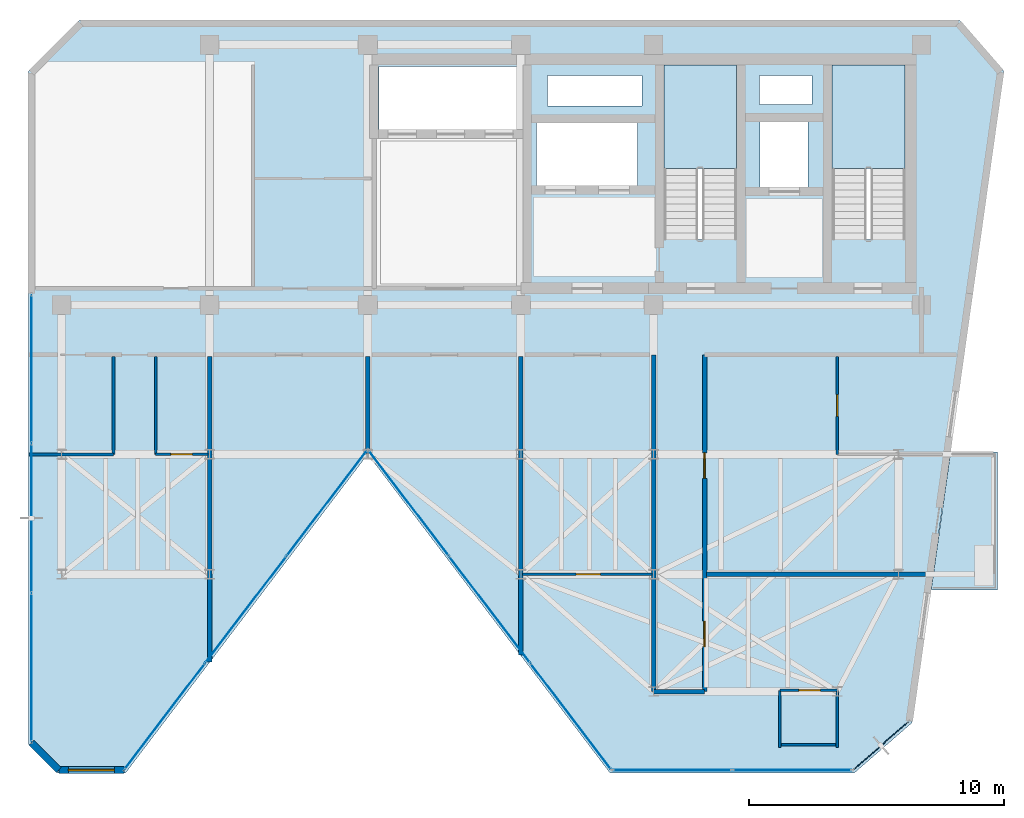
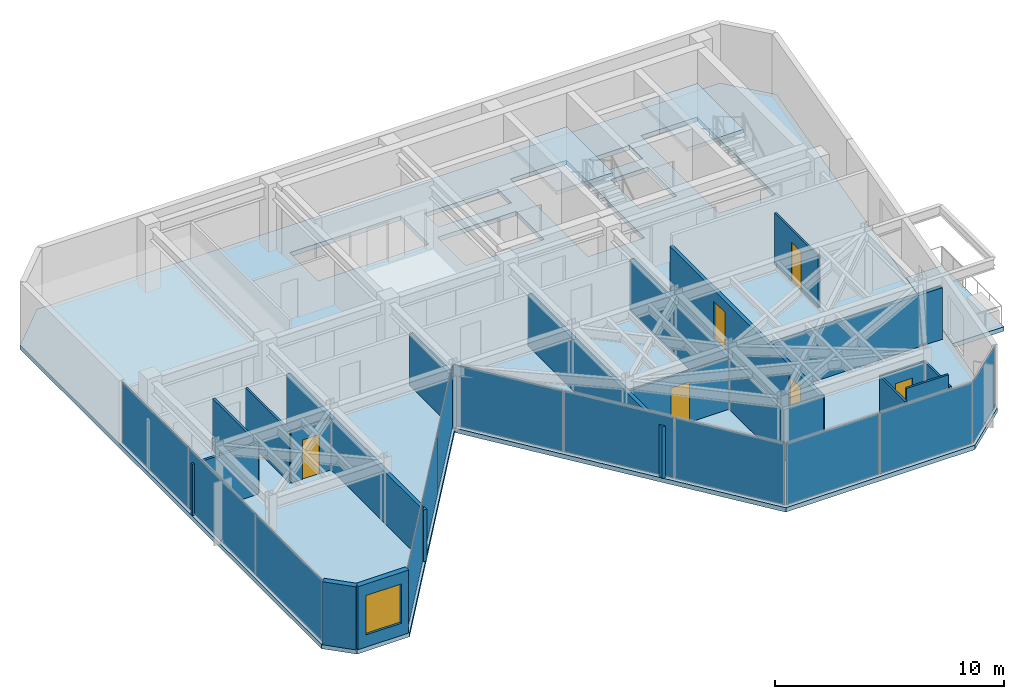
# One storey, part 13 of 17: 19 walls, 12 plates, 6 doors, 4 slabs, 1 window, 7 openings, 7 elements without a shape of their own.
"""IFC4 building model written with IfcOpenShell, lengths in metres."""

from ifc_helpers import new_model, si_unit, direction, frame, frame_2d, origin, origin_2d, place, context, subcontext, project, spatial, polyline, rectangle, outline, extrude, material, layer, layer_set, type_object, element, fill, aggregate, save


model = new_model("IFC4")

# Units and contexts
model_context = context("Model", 3, precision=1e-05, world=origin(), true_north=direction((0.0, 1.0)))
body_context = subcontext(model_context, "Body", "Model", "MODEL_VIEW")
ifc_project = project(units=[si_unit("LENGTHUNIT", "METRE"), si_unit("AREAUNIT", "SQUARE_METRE"), si_unit("VOLUMEUNIT", "CUBIC_METRE"), si_unit("PLANEANGLEUNIT", "RADIAN"), si_unit("MASSUNIT", "GRAM", prefix="KILO")], contexts=[model_context])

# Site, building, storey
site_placement = place(None, origin())
site = spatial("IfcSite", under=ifc_project, at=site_placement, CompositionType="ELEMENT")
building_placement = place(site_placement, origin())
building = spatial("IfcBuilding", under=site, at=building_placement, Name="Kravanh Interchange Tower", CompositionType="ELEMENT")
storey_placement = place(building_placement, frame((0.0, 0.0, 289.5)))
storey = spatial("IfcBuildingStorey", under=building, at=storey_placement, Name="L71", CompositionType="ELEMENT", Elevation=289.5)

# Curtain wall, plates
ifc_material_1 = material(Name="Anodised Bronze Aluminium", Category="aluminium")
ifc_layer_1 = layer(ifc_material_1, 0.179931640625)
ifc_layer_set_1 = layer_set([ifc_layer_1], Name="Unitised Curtain Wall System CW-HTL Luxury Hotel")
curtain_wall_type = type_object("IfcCurtainWallType", Name="Unitised Curtain Wall System CW-HTL Luxury Hotel", PredefinedType="NOTDEFINED", material=ifc_layer_set_1)
curtain_wall_1_placement = place(storey_placement, origin())
curtain_wall_1 = element("IfcCurtainWall", 1, at=curtain_wall_1_placement, inside=storey, type_object=curtain_wall_type, Name="L71 Unitised Curtain Wall CW-L71-01", PredefinedType="NOTDEFINED")
ifc_material_2 = material(Name="Low-E Laminated Architectural Glass", Category="glass")
ifc_layer_2 = layer(ifc_material_2, 0.030029296875)
ifc_layer_set_2 = layer_set([ifc_layer_2], Name="Acoustic Laminated Glazing 30mm")
plate_type = type_object("IfcPlateType", Name="Acoustic Laminated Glazing 30mm", PredefinedType="CURTAIN_PANEL", material=ifc_layer_set_2)
plate_1_placement = place(storey_placement, frame((31.6201171875, 23.1396484375, 0.06005859375), z_axis=(0.0, 0.0, 1.0), x_axis=(0.0, 1.0, 0.0)))
plate_1 = element("IfcPlate", 2, at=plate_1_placement, type_object=plate_type, Name="CW-HTL panel 1.1", PredefinedType="CURTAIN_PANEL", context=body_context, shape_type="SweptSolid", body=[
    extrude(rectangle(XDim=5.780029296875, YDim=0.030029296875, at=origin_2d()), origin(), (0.0, 0.0, 1.0), 3.2451171875),
])
plate_2_placement = place(storey_placement, frame((31.6201171875, 28.994873046875, 0.06005859375), z_axis=(0.0, 0.0, 1.0), x_axis=(0.0, 1.0, 0.0)))
plate_2 = element("IfcPlate", 3, at=plate_2_placement, type_object=plate_type, Name="CW-HTL panel 2.1", PredefinedType="CURTAIN_PANEL", context=body_context, shape_type="SweptSolid", body=[
    extrude(rectangle(XDim=5.81005859375, YDim=0.030029296875, at=origin_2d()), origin(), (0.0, 0.0, 1.0), 3.2451171875),
])
plate_3_placement = place(storey_placement, frame((31.6201171875, 34.849853515625, 0.06005859375), z_axis=(0.0, 0.0, 1.0), x_axis=(0.0, 1.0, 0.0)))
plate_3 = element("IfcPlate", 4, at=plate_3_placement, type_object=plate_type, Name="CW-HTL panel 3.1", PredefinedType="CURTAIN_PANEL", context=body_context, shape_type="SweptSolid", body=[
    extrude(rectangle(XDim=5.780029296875, YDim=0.030029296875, at=origin_2d()), origin(), (0.0, 0.0, 1.0), 3.2451171875),
])
aggregate(curtain_wall_1, [plate_1, plate_2, plate_3])

# Curtain wall, plate
curtain_wall_2_placement = place(storey_placement, origin())
curtain_wall_2 = element("IfcCurtainWall", 5, at=curtain_wall_2_placement, inside=storey, type_object=curtain_wall_type, Name="L71 Unitised Curtain Wall CW-L71-02", PredefinedType="NOTDEFINED")
plate_4_placement = place(storey_placement, frame((64.91455078125, 20.080810546875, 0.06005859375), z_axis=(0.0, 0.0, 1.0), x_axis=(-0.75473192521, -0.656033323139, 0.0)))
plate_4 = element("IfcPlate", 6, at=plate_4_placement, type_object=plate_type, Name="CW-HTL panel 1.1", PredefinedType="CURTAIN_PANEL", context=body_context, shape_type="SweptSolid", body=[
    extrude(rectangle(XDim=2.80908203125, YDim=0.030029296875, at=origin_2d()), origin(), (0.0, 0.0, 1.0), 3.2451171875),
])
aggregate(curtain_wall_2, [plate_4])

# Curtain wall, plates
curtain_wall_3_placement = place(storey_placement, origin())
curtain_wall_3 = element("IfcCurtainWall", 7, at=curtain_wall_3_placement, inside=storey, type_object=curtain_wall_type, Name="L71 Unitised Curtain Wall CW-L71-03", PredefinedType="NOTDEFINED")
plate_5_placement = place(storey_placement, frame((61.431640625, 19.1201171875, 0.06005859375), z_axis=(0.0, 0.0, 1.0), x_axis=(-1.0, 0.0, 0.0)))
plate_5 = element("IfcPlate", 8, at=plate_5_placement, type_object=plate_type, Name="CW-HTL panel 1.1", PredefinedType="CURTAIN_PANEL", context=body_context, shape_type="SweptSolid", body=[
    extrude(rectangle(XDim=4.634765625, YDim=0.030029296875, at=origin_2d()), origin(), (0.0, 0.0, 1.0), 3.2451171875),
])
plate_6_placement = place(storey_placement, frame((56.73681640625, 19.1201171875, 0.06005859375), z_axis=(0.0, 0.0, 1.0), x_axis=(-1.0, 0.0, 0.0)))
plate_6 = element("IfcPlate", 9, at=plate_6_placement, type_object=plate_type, Name="CW-HTL panel 2.1", PredefinedType="CURTAIN_PANEL", context=body_context, shape_type="SweptSolid", body=[
    extrude(rectangle(XDim=4.634765625, YDim=0.030029296875, at=origin_2d()), origin(), (0.0, 0.0, 1.0), 3.2451171875),
])
aggregate(curtain_wall_3, [plate_5, plate_6])

curtain_wall_4_placement = place(storey_placement, origin())
curtain_wall_4 = element("IfcCurtainWall", 10, at=curtain_wall_4_placement, inside=storey, type_object=curtain_wall_type, Name="L71 Unitised Curtain Wall CW-L71-04", PredefinedType="NOTDEFINED")
plate_7_placement = place(storey_placement, frame((52.757080078125, 21.228271484375, 0.06005859375), z_axis=(0.0, 0.0, 1.0), x_axis=(-0.605082946564, 0.79616243806, 0.0)))
plate_7 = element("IfcPlate", 11, at=plate_7_placement, type_object=plate_type, Name="CW-HTL panel 1.1", PredefinedType="CURTAIN_PANEL", context=body_context, shape_type="SweptSolid", body=[
    extrude(rectangle(XDim=5.17626953125, YDim=0.030029296875, at=origin_2d()), origin(), (0.0, 0.0, 1.0), 3.2451171875),
])
plate_8_placement = place(storey_placement, frame((49.579833984375, 25.4091796875, 0.06005859375), z_axis=(0.0, 0.0, 1.0), x_axis=(-0.605082946564, 0.79616243806, 0.0)))
plate_8 = element("IfcPlate", 12, at=plate_8_placement, type_object=plate_type, Name="CW-HTL panel 2.1", PredefinedType="CURTAIN_PANEL", context=body_context, shape_type="SweptSolid", body=[
    extrude(rectangle(XDim=5.206298828125, YDim=0.030029296875, at=origin_2d()), origin(), (0.0, 0.0, 1.0), 3.2451171875),
])
plate_9_placement = place(storey_placement, frame((46.40234375, 29.590087890625, 0.06005859375), z_axis=(0.0, 0.0, 1.0), x_axis=(-0.605082946564, 0.79616243806, 0.0)))
plate_9 = element("IfcPlate", 13, at=plate_9_placement, type_object=plate_type, Name="CW-HTL panel 3.1", PredefinedType="CURTAIN_PANEL", context=body_context, shape_type="SweptSolid", body=[
    extrude(rectangle(XDim=5.17626953125, YDim=0.030029296875, at=origin_2d()), origin(), (0.0, 0.0, 1.0), 3.2451171875),
])
aggregate(curtain_wall_4, [plate_7, plate_8, plate_9])

curtain_wall_5_placement = place(storey_placement, origin())
curtain_wall_5 = element("IfcCurtainWall", 14, at=curtain_wall_5_placement, inside=storey, type_object=curtain_wall_type, Name="L71 Unitised Curtain Wall CW-L71-05", PredefinedType="NOTDEFINED")
plate_10_placement = place(storey_placement, frame((43.19775390625, 29.590087890625, 0.06005859375), z_axis=(0.0, 0.0, 1.0), x_axis=(-0.605082946564, -0.79616243806, 0.0)))
plate_10 = element("IfcPlate", 15, at=plate_10_placement, type_object=plate_type, Name="CW-HTL panel 1.1", PredefinedType="CURTAIN_PANEL", context=body_context, shape_type="SweptSolid", body=[
    extrude(rectangle(XDim=5.17626953125, YDim=0.030029296875, at=origin_2d()), origin(), (0.0, 0.0, 1.0), 3.2451171875),
])
plate_11_placement = place(storey_placement, frame((40.020263671875, 25.4091796875, 0.06005859375), z_axis=(0.0, 0.0, 1.0), x_axis=(-0.605082946564, -0.79616243806, 0.0)))
plate_11 = element("IfcPlate", 16, at=plate_11_placement, type_object=plate_type, Name="CW-HTL panel 2.1", PredefinedType="CURTAIN_PANEL", context=body_context, shape_type="SweptSolid", body=[
    extrude(rectangle(XDim=5.206298828125, YDim=0.030029296875, at=origin_2d()), origin(), (0.0, 0.0, 1.0), 3.2451171875),
])
plate_12_placement = place(storey_placement, frame((36.8427734375, 21.228271484375, 0.06005859375), z_axis=(0.0, 0.0, 1.0), x_axis=(-0.605082946564, -0.79616243806, 0.0)))
plate_12 = element("IfcPlate", 17, at=plate_12_placement, type_object=plate_type, Name="CW-HTL panel 3.1", PredefinedType="CURTAIN_PANEL", context=body_context, shape_type="SweptSolid", body=[
    extrude(rectangle(XDim=5.17626953125, YDim=0.030029296875, at=origin_2d()), origin(), (0.0, 0.0, 1.0), 3.2451171875),
])
aggregate(curtain_wall_5, [plate_10, plate_11, plate_12])

# Slab
ifc_material_3 = material(Name="Concrete C50/60", Category="concrete")
ifc_layer_3 = layer(ifc_material_3, 0.235107421875)
ifc_layer_set_3 = layer_set([ifc_layer_3], Name="Composite Floor Slab Concrete C50/60 235mm")
slab_type_1 = type_object("IfcSlabType", Name="Composite Floor Slab Concrete C50/60 235mm", PredefinedType="FLOOR", material=ifc_layer_set_3)
slab_1_placement = place(storey_placement, frame((0.0, 0.0, -0.235107421875)))
element("IfcSlab", 18, at=slab_1_placement, inside=storey, type_object=slab_type_1, Name="L71 Structural Floor Slab", PredefinedType="FLOOR", context=body_context, shape_type="SweptSolid", body=[
    extrude(outline(polyline([(31.5, 20.139892578125), (32.639892578125, 19.0), (35.300048828125, 19.0), (44.800048828125, 31.5), (54.300048828125, 19.0), (63.85400390625, 19.0), (66.13232421875, 20.98046875), (69.7216796875, 46.51953125), (68.0, 48.5), (33.5, 48.5), (31.5, 46.5), (31.5, 20.139892578125)]), holes=[polyline([(65.85009765625, 39.925048828125), (65.85009765625, 46.75), (63.0, 46.75), (63.0, 39.925048828125), (65.85009765625, 39.925048828125)]), polyline([(59.25, 39.925048828125), (59.25, 46.75), (56.39990234375, 46.75), (56.39990234375, 39.925048828125), (59.25, 39.925048828125)]), polyline([(45.239990234375, 44.219970703125), (50.840087890625, 44.219970703125), (50.840087890625, 46.699951171875), (45.239990234375, 46.699951171875), (45.239990234375, 44.219970703125)]), polyline([(51.419921875, 42.02001953125), (55.3798828125, 42.02001953125), (55.3798828125, 44.47998046875), (51.419921875, 44.47998046875), (51.419921875, 42.02001953125)]), polyline([(60.179931640625, 41.97998046875), (62.06005859375, 41.97998046875), (62.06005859375, 44.52001953125), (60.179931640625, 44.52001953125), (60.179931640625, 41.97998046875)]), polyline([(60.14990234375, 45.199951171875), (62.199951171875, 45.199951171875), (62.199951171875, 46.35009765625), (60.14990234375, 46.35009765625), (60.14990234375, 45.199951171875)]), polyline([(51.85009765625, 45.14990234375), (55.550048828125, 45.14990234375), (55.550048828125, 46.35009765625), (51.85009765625, 46.35009765625), (51.85009765625, 45.14990234375)])]), origin(), (0.0, 0.0, 1.0), 0.235107421875),
])

# Stair, slab
ifc_material_4 = material(Name="Concrete C50/60", Category="concrete")
stair_type = type_object("IfcStairType", Name="Core Fire Exit Dogleg Stair Concrete C50/60", PredefinedType="HALF_TURN_STAIR", material=ifc_material_4)
stair_1_placement = place(storey_placement, origin())
stair_1 = element("IfcStair", 19, at=stair_1_placement, inside=storey, type_object=stair_type, Name="L71 Exit Stair ST1", PredefinedType="HALF_TURN_STAIR")
ifc_material_5 = material(Name="Concrete C50/60", Category="concrete")
ifc_layer_4 = layer(ifc_material_5, 0.199951171875)
ifc_layer_set_4 = layer_set([ifc_layer_4], Name="Concrete C50/60 Stair Half-Landing Slab 200mm")
slab_type_2 = type_object("IfcSlabType", Name="Concrete C50/60 Stair Half-Landing Slab 200mm", PredefinedType="LANDING", material=ifc_layer_set_4)
slab_2_placement = place(storey_placement, frame((0.0, 0.0, 1.60009765625)))
slab_2 = element("IfcSlab", 20, at=slab_2_placement, type_object=slab_type_2, Name="ST1 landing 1", PredefinedType="LANDING", context=body_context, shape_type="SweptSolid", body=[
    extrude(outline(polyline([(65.85009765625, 42.699951171875), (65.85009765625, 46.75), (63.0, 46.75), (63.0, 42.699951171875), (65.85009765625, 42.699951171875)])), origin(), (0.0, 0.0, 1.0), 0.199951171875),
])
aggregate(stair_1, [slab_2])

stair_2_placement = place(storey_placement, origin())
stair_2 = element("IfcStair", 21, at=stair_2_placement, inside=storey, type_object=stair_type, Name="L71 Exit Stair ST2", PredefinedType="HALF_TURN_STAIR")
slab_3_placement = place(storey_placement, frame((0.0, 0.0, 1.60009765625)))
slab_3 = element("IfcSlab", 22, at=slab_3_placement, type_object=slab_type_2, Name="ST2 landing 1", PredefinedType="LANDING", context=body_context, shape_type="SweptSolid", body=[
    extrude(outline(polyline([(59.25, 42.699951171875), (59.25, 46.75), (56.39990234375, 46.75), (56.39990234375, 42.699951171875), (59.25, 42.699951171875)])), origin(), (0.0, 0.0, 1.0), 0.199951171875),
])
aggregate(stair_2, [slab_3])

# Slab
ifc_material_6 = material(Name="Concrete C50/60", Category="concrete")
ifc_layer_5 = layer(ifc_material_6, 0.199951171875)
ifc_layer_set_5 = layer_set([ifc_layer_5], Name="Planted Tree Balcony Slab Concrete C50/60 200mm")
slab_type_3 = type_object("IfcSlabType", Name="Planted Tree Balcony Slab Concrete C50/60 200mm", PredefinedType="USERDEFINED", material=ifc_layer_set_5)
slab_4_placement = place(storey_placement, frame((0.0, 0.0, -0.235107421875)))
element("IfcSlab", 23, at=slab_4_placement, inside=storey, type_object=slab_type_3, Name="L71 East Tree Planter Balcony Slab", ObjectType="BALCONY", PredefinedType="USERDEFINED", context=body_context, shape_type="SweptSolid", body=[
    extrude(outline(polyline([(69.472900390625, 31.590087890625), (69.472900390625, 26.18994140625), (66.879638671875, 26.18994140625), (67.638671875, 31.590087890625), (69.472900390625, 31.590087890625)])), origin(), (0.0, 0.0, 1.0), 0.235107421875),
])

# Walls
ifc_material_7 = material(Name="Double Acoustic Gypsum Board and Mineral Wool")
ifc_layer_6 = layer(ifc_material_7, 0.1201171875)
ifc_layer_set_6 = layer_set([ifc_layer_6], Name="Acoustic Office Drywall Partition 120mm")
wall_type_1 = type_object("IfcWallType", Name="Acoustic Office Drywall Partition 120mm", PredefinedType="PARTITIONING", material=ifc_layer_set_6)
wall_1_placement = place(storey_placement, frame((34.840087890625, 31.5, 0.0), z_axis=(0.0, 0.0, 1.0), x_axis=(0.0, 1.0, 0.0)))
element("IfcWall", 24, at=wall_1_placement, inside=storey, type_object=wall_type_1, Name="L71 Interior Partition 13", PredefinedType="PARTITIONING", context=body_context, shape_type="SweptSolid", body=[
    extrude(rectangle(XDim=3.83203125, YDim=0.1201171875, at=frame_2d((1.916015625, 0.0))), origin(), (0.0, 0.0, 1.0), 2.75390625),
])
wall_2_placement = place(storey_placement, frame((31.514892578125, 31.5, 0.0), z_axis=(0.0, 0.0, 1.0), x_axis=(1.0, 0.0, 0.0)))
element("IfcWall", 25, at=wall_2_placement, inside=storey, type_object=wall_type_1, Name="L71 Interior Partition 14", PredefinedType="PARTITIONING", context=body_context, shape_type="SweptSolid", body=[
    extrude(rectangle(XDim=3.3251953125, YDim=0.1201171875, at=frame_2d((1.66259765625, 0.0))), origin(), (0.0, 0.0, 1.0), 2.75390625),
])

# Wall, opening, door
ifc_material_8 = material(Name="Moisture-Resistant Gypsum Board and Mineral Wool")
ifc_layer_7 = layer(ifc_material_8, 0.10009765625)
ifc_layer_set_7 = layer_set([ifc_layer_7], Name="En-Suite Moisture-Resistant Partition 100mm")
wall_type_2 = type_object("IfcWallType", Name="En-Suite Moisture-Resistant Partition 100mm", PredefinedType="PARTITIONING", material=ifc_layer_set_7)
wall_3_placement = place(storey_placement, frame((60.949951171875, 22.25, 0.0), z_axis=(0.0, 0.0, 1.0), x_axis=(1.0, 0.0, 0.0)))
wall_3 = element("IfcWall", 26, at=wall_3_placement, inside=storey, type_object=wall_type_2, Name="L71 Interior Partition 16", PredefinedType="PARTITIONING", context=body_context, shape_type="SweptSolid", body=[
    extrude(rectangle(XDim=2.25, YDim=0.10009765625, at=frame_2d((1.125, 0.0))), origin(), (0.0, 0.0, 1.0), 2.75390625),
])
opening_1_placement = place(wall_3_placement, frame((0.741455078125, 0.0, 0.0)))
opening_1 = element("IfcOpeningElement", 27, at=opening_1_placement, cuts=wall_3, Name="Opening D-85", PredefinedType="OPENING", context=body_context, shape_type="SweptSolid", body=[
    extrude(rectangle(XDim=0.85009765625, YDim=2.10009765625, at=frame_2d((0.425048828125, 1.050048828125))), frame((0.0, 0.06005859375, 0.0), z_axis=(0.0, -1.0, 0.0), x_axis=(1.0, 0.0, 0.0)), (0.0, 0.0, 1.0), 0.1201171875),
])
ifc_material_9 = material(Name="Engineered Teak Veneer Timber", Category="wood")
door_type_1 = type_object("IfcDoorType", Name="En-Suite Timber Door 850x2100", OperationType="NOTDEFINED", PredefinedType="DOOR", material=ifc_material_9)
door_1_placement = place(opening_1_placement, origin())
door_1 = element("IfcDoor", 28, at=door_1_placement, inside=storey, type_object=door_type_1, Name="L71 En-suite Bathroom Door", OperationType="SINGLE_SWING_LEFT", OverallHeight=2.10009765625, OverallWidth=0.85009765625, PredefinedType="DOOR", context=body_context, shape_type="SweptSolid", body=[
    extrude(rectangle(XDim=0.85009765625, YDim=2.10009765625, at=frame_2d((0.425048828125, 1.050048828125))), frame((0.0, 0.02490234375, 0.0), z_axis=(0.0, -1.0, 0.0), x_axis=(1.0, 0.0, 0.0)), (0.0, 0.0, 1.0), 0.050048828125),
])
fill(opening_1, door_1)

# Walls
for number, where, z_axis, x_axis, name in (
    (29, (60.949951171875, 20.0, 0.0), (0.0, 0.0, 1.0), (0.0, 1.0, 0.0), "L71 Interior Partition 17"),
    (30, (63.199951171875, 20.0, 0.0), (0.0, 0.0, 1.0), (0.0, 1.0, 0.0), "L71 Interior Partition 18"),
):
    element("IfcWall", number, at=place(storey_placement, frame(where, z_axis=z_axis, x_axis=x_axis)), inside=storey, type_object=wall_type_2, Name=name, PredefinedType="PARTITIONING", context=body_context, shape_type="SweptSolid", body=[
        extrude(rectangle(XDim=2.25, YDim=0.10009765625, at=frame_2d((1.125, 0.0))), origin(), (0.0, 0.0, 1.0), 2.75390625),
    ])
wall_4_placement = place(storey_placement, frame((61.01806640625, 20.1201171875, 0.0), z_axis=(0.0, 0.0, 1.0), x_axis=(1.0, 0.0, 0.0)))
element("IfcWall", 31, at=wall_4_placement, inside=storey, type_object=wall_type_2, Name="L71 Interior Partition 19", PredefinedType="PARTITIONING", context=body_context, shape_type="SweptSolid", body=[
    extrude(rectangle(XDim=2.114013671875, YDim=0.10009765625, at=frame_2d((1.05712890625, 0.0))), origin(), (0.0, 0.0, 1.0), 3.364990234375),
])

# Wall, opening, door
wall_5_placement = place(storey_placement, frame((63.199951171875, 31.5, 0.0), z_axis=(0.0, 0.0, 1.0), x_axis=(0.0, 1.0, 0.0)))
wall_5 = element("IfcWall", 32, at=wall_5_placement, inside=storey, type_object=wall_type_2, Name="L71 Interior Partition 21", PredefinedType="PARTITIONING", context=body_context, shape_type="SweptSolid", body=[
    extrude(rectangle(XDim=3.83203125, YDim=0.10009765625, at=frame_2d((1.916015625, 0.0))), origin(), (0.0, 0.0, 1.0), 2.75390625),
])
opening_2_placement = place(wall_5_placement, frame((1.48486328125, 0.0, 0.0)))
opening_2 = element("IfcOpeningElement", 33, at=opening_2_placement, cuts=wall_5, Name="Opening D-85", PredefinedType="OPENING", context=body_context, shape_type="SweptSolid", body=[
    extrude(rectangle(XDim=0.85009765625, YDim=2.10009765625, at=frame_2d((0.425048828125, 1.050048828125))), frame((0.0, 0.06005859375, 0.0), z_axis=(0.0, -1.0, 0.0), x_axis=(1.0, 0.0, 0.0)), (0.0, 0.0, 1.0), 0.1201171875),
])
door_2_placement = place(opening_2_placement, origin())
door_2 = element("IfcDoor", 34, at=door_2_placement, inside=storey, type_object=door_type_1, Name="L71 En-suite Bathroom Door", OperationType="SINGLE_SWING_LEFT", OverallHeight=2.10009765625, OverallWidth=0.85009765625, PredefinedType="DOOR", context=body_context, shape_type="SweptSolid", body=[
    extrude(rectangle(XDim=0.85009765625, YDim=2.10009765625, at=frame_2d((0.425048828125, 1.050048828125))), frame((0.0, 0.02490234375, 0.0), z_axis=(0.0, -1.0, 0.0), x_axis=(1.0, 0.0, 0.0)), (0.0, 0.0, 1.0), 0.050048828125),
])
fill(opening_2, door_2)

# Wall
wall_6_placement = place(storey_placement, frame((36.489990234375, 31.5, 0.0), z_axis=(0.0, 0.0, 1.0), x_axis=(0.0, 1.0, 0.0)))
element("IfcWall", 35, at=wall_6_placement, inside=storey, type_object=wall_type_2, Name="L71 Interior Partition 22", PredefinedType="PARTITIONING", context=body_context, shape_type="SweptSolid", body=[
    extrude(rectangle(XDim=3.83203125, YDim=0.10009765625, at=frame_2d((1.916015625, 0.0))), origin(), (0.0, 0.0, 1.0), 2.75390625),
])

# Wall, opening, door
wall_7_placement = place(storey_placement, frame((36.489990234375, 31.5, 0.0), z_axis=(0.0, 0.0, 1.0), x_axis=(1.0, 0.0, 0.0)))
wall_7 = element("IfcWall", 36, at=wall_7_placement, inside=storey, type_object=wall_type_2, Name="L71 Interior Partition 23", PredefinedType="PARTITIONING", context=body_context, shape_type="SweptSolid", body=[
    extrude(rectangle(XDim=2.0419921875, YDim=0.10009765625, at=frame_2d((1.02099609375, 0.0))), origin(), (0.0, 0.0, 1.0), 2.75390625),
])
opening_3_placement = place(wall_7_placement, frame((0.589111328125, 0.0, 0.0)))
opening_3 = element("IfcOpeningElement", 37, at=opening_3_placement, cuts=wall_7, Name="Opening D-85", PredefinedType="OPENING", context=body_context, shape_type="SweptSolid", body=[
    extrude(rectangle(XDim=0.85009765625, YDim=2.10009765625, at=frame_2d((0.425048828125, 1.050048828125))), frame((0.0, 0.06005859375, 0.0), z_axis=(0.0, -1.0, 0.0), x_axis=(1.0, 0.0, 0.0)), (0.0, 0.0, 1.0), 0.1201171875),
])
door_3_placement = place(opening_3_placement, origin())
door_3 = element("IfcDoor", 38, at=door_3_placement, inside=storey, type_object=door_type_1, Name="L71 En-suite Bathroom Door", OperationType="SINGLE_SWING_LEFT", OverallHeight=2.10009765625, OverallWidth=0.85009765625, PredefinedType="DOOR", context=body_context, shape_type="SweptSolid", body=[
    extrude(rectangle(XDim=0.85009765625, YDim=2.10009765625, at=frame_2d((0.425048828125, 1.050048828125))), frame((0.0, 0.02490234375, 0.0), z_axis=(0.0, -1.0, 0.0), x_axis=(1.0, 0.0, 0.0)), (0.0, 0.0, 1.0), 0.050048828125),
])
fill(opening_3, door_3)

wall_8_placement = place(storey_placement, frame((50.867919921875, 26.800048828125, 0.0), z_axis=(0.0, 0.0, 1.0), x_axis=(1.0, 0.0, 0.0)))
wall_8 = element("IfcWall", 39, at=wall_8_placement, inside=storey, type_object=wall_type_2, Name="L71 Interior Partition 27", PredefinedType="PARTITIONING", context=body_context, shape_type="SweptSolid", body=[
    extrude(rectangle(XDim=5.06396484375, YDim=0.10009765625, at=frame_2d((2.531982421875, 0.0))), origin(), (0.0, 0.0, 1.0), 2.75390625),
])
opening_4_placement = place(wall_8_placement, frame((2.09716796875, 0.0, 0.0)))
opening_4 = element("IfcOpeningElement", 40, at=opening_4_placement, cuts=wall_8, Name="Opening D-95", PredefinedType="OPENING", context=body_context, shape_type="SweptSolid", body=[
    extrude(rectangle(XDim=0.949951171875, YDim=2.14990234375, at=frame_2d((0.47509765625, 1.074951171875))), frame((0.0, 0.06005859375, 0.0), z_axis=(0.0, -1.0, 0.0), x_axis=(1.0, 0.0, 0.0)), (0.0, 0.0, 1.0), 0.1201171875),
])
ifc_material_10 = material(Name="Laminate Solid-Core Timber", Category="wood")
door_type_2 = type_object("IfcDoorType", Name="Accessible Restroom Door 950x2150", OperationType="NOTDEFINED", PredefinedType="DOOR", material=ifc_material_10)
door_4_placement = place(opening_4_placement, origin())
door_4 = element("IfcDoor", 41, at=door_4_placement, inside=storey, type_object=door_type_2, Name="L71 Sunroom Alcove Inner Door", OperationType="SINGLE_SWING_RIGHT", OverallHeight=2.14990234375, OverallWidth=0.949951171875, PredefinedType="DOOR", context=body_context, shape_type="SweptSolid", body=[
    extrude(rectangle(XDim=0.949951171875, YDim=2.14990234375, at=frame_2d((0.47509765625, 1.074951171875))), frame((0.0, 0.02490234375, 0.0), z_axis=(0.0, -1.0, 0.0), x_axis=(1.0, 0.0, 0.0)), (0.0, 0.0, 1.0), 0.050048828125),
])
fill(opening_4, door_4)

# Wall, opening, window
ifc_material_11 = material(Name="Insulated Precast Concrete C40/50 with Bronze Cladding", Category="concrete")
ifc_layer_8 = layer(ifc_material_11, 0.280029296875)
ifc_layer_set_8 = layer_set([ifc_layer_8], Name="Exterior Insulated Concrete C40/50 Bronze Spandrel Wall 280mm")
wall_type_3 = type_object("IfcWallType", Name="Exterior Insulated Concrete C40/50 Bronze Spandrel Wall 280mm", PredefinedType="STANDARD", material=ifc_layer_set_8)
wall_9_placement = place(storey_placement, frame((35.240478515625, 19.1201171875, 0.0), z_axis=(0.0, 0.0, 1.0), x_axis=(-1.0, 0.0, 0.0)))
wall_9 = element("IfcWall", 42, at=wall_9_placement, inside=storey, type_object=wall_type_3, Name="L71 Exterior Wall 7", PredefinedType="STANDARD", context=body_context, shape_type="SweptSolid", body=[
    extrude(rectangle(XDim=2.55078125, YDim=0.280029296875, at=frame_2d((1.275390625, 0.0))), origin(), (0.0, 0.0, 1.0), 3.364990234375),
])
opening_5_placement = place(wall_9_placement, frame((0.369873046875, 0.0, 0.64990234375)))
opening_5 = element("IfcOpeningElement", 43, at=opening_5_placement, cuts=wall_9, Name="Opening WN-180X210", PredefinedType="OPENING", context=body_context, shape_type="SweptSolid", body=[
    extrude(rectangle(XDim=1.800048828125, YDim=2.10009765625, at=frame_2d((0.89990234375, 1.050048828125))), frame((0.0, 0.14990234375, 0.0), z_axis=(0.0, -1.0, 0.0), x_axis=(1.0, 0.0, 0.0)), (0.0, 0.0, 1.0), 0.300048828125),
])
ifc_material_12 = material(Name="Thermally Broken Bronze Aluminium and Low-E Glass", Category="aluminium")
window_type = type_object("IfcWindowType", Name="Tower Pier Window 1800x2100", PartitioningType="SINGLE_PANEL", PredefinedType="WINDOW", material=ifc_material_12)
window_placement = place(opening_5_placement, origin())
window = element("IfcWindow", 44, at=window_placement, inside=storey, type_object=window_type, Name="L71 Corner Window 7", OverallHeight=2.10009765625, OverallWidth=1.800048828125, PartitioningType="SINGLE_PANEL", PredefinedType="WINDOW", context=body_context, shape_type="SweptSolid", body=[
    extrude(rectangle(XDim=1.800048828125, YDim=2.10009765625, at=frame_2d((0.89990234375, 1.050048828125))), frame((0.0, 0.030029296875, 0.0), z_axis=(0.0, -1.0, 0.0), x_axis=(1.0, 0.0, 0.0)), (0.0, 0.0, 1.0), 0.06005859375),
])
fill(opening_5, window)

# Walls
wall_10_placement = place(storey_placement, frame((32.689697265625, 19.1201171875, 0.0), z_axis=(0.0, 0.0, 1.0), x_axis=(-0.707106781187, 0.707106781187, 0.0)))
element("IfcWall", 45, at=wall_10_placement, inside=storey, type_object=wall_type_3, Name="L71 Exterior Wall 8", PredefinedType="STANDARD", context=body_context, shape_type="SweptSolid", body=[
    extrude(rectangle(XDim=1.5126953125, YDim=0.280029296875, at=frame_2d((0.75634765625, 0.0))), origin(), (0.0, 0.0, 1.0), 3.364990234375),
])
ifc_material_13 = material(Name="Autoclaved Aerated Concrete C30/37 Blockwork", Category="masonry")
ifc_layer_9 = layer(ifc_material_13, 0.179931640625)
ifc_layer_set_9 = layer_set([ifc_layer_9], Name="Fire-Rated Lobby and Corridor Wall Concrete C30/37 180mm")
wall_type_4 = type_object("IfcWallType", Name="Fire-Rated Lobby and Corridor Wall Concrete C30/37 180mm", PredefinedType="STANDARD", material=ifc_layer_set_9)
wall_11_placement = place(storey_placement, frame((56.0, 22.199951171875, 0.0), z_axis=(0.0, 0.0, 1.0), x_axis=(0.0, 1.0, 0.0)))
element("IfcWall", 46, at=wall_11_placement, inside=storey, type_object=wall_type_4, Name="L71 Interior Partition 10", PredefinedType="STANDARD", context=body_context, shape_type="SweptSolid", body=[
    extrude(rectangle(XDim=13.199951171875, YDim=0.179931640625, at=frame_2d((6.60009765625, 0.0))), origin(), (0.0, 0.0, 1.0), 2.75390625),
])

# Wall, openings, doors
wall_12_placement = place(storey_placement, frame((58.0, 22.199951171875, 0.0), z_axis=(0.0, 0.0, 1.0), x_axis=(0.0, 1.0, 0.0)))
wall_12 = element("IfcWall", 47, at=wall_12_placement, inside=storey, type_object=wall_type_4, Name="L71 Interior Partition 11", PredefinedType="STANDARD", context=body_context, shape_type="SweptSolid", body=[
    extrude(rectangle(XDim=13.199951171875, YDim=0.179931640625, at=frame_2d((6.60009765625, 0.0))), origin(), (0.0, 0.0, 1.0), 2.75390625),
])
opening_6_placement = place(wall_12_placement, frame((1.759521484375, 0.0, 0.0)))
opening_6 = element("IfcOpeningElement", 48, at=opening_6_placement, cuts=wall_12, Name="Opening D-HOTEL-100", PredefinedType="OPENING", context=body_context, shape_type="SweptSolid", body=[
    extrude(rectangle(XDim=1.0, YDim=2.14990234375, at=frame_2d((0.5, 1.074951171875))), frame((0.0, 0.10009765625, 0.0), z_axis=(0.0, -1.0, 0.0), x_axis=(1.0, 0.0, 0.0)), (0.0, 0.0, 1.0), 0.199951171875),
])
opening_7_placement = place(wall_12_placement, frame((8.35986328125, 0.0, 0.0)))
opening_7 = element("IfcOpeningElement", 49, at=opening_7_placement, cuts=wall_12, Name="Opening D-HOTEL-100", PredefinedType="OPENING", context=body_context, shape_type="SweptSolid", body=[
    extrude(rectangle(XDim=1.0, YDim=2.14990234375, at=frame_2d((0.5, 1.074951171875))), frame((0.0, 0.10009765625, 0.0), z_axis=(0.0, -1.0, 0.0), x_axis=(1.0, 0.0, 0.0)), (0.0, 0.0, 1.0), 0.199951171875),
])
ifc_material_14 = material(Name="Fire-Rated Solid Timber Leaf", Category="wood")
door_type_3 = type_object("IfcDoorType", Name="Fire-Rated Suite Entrance Door 1000x2150", OperationType="NOTDEFINED", PredefinedType="DOOR", material=ifc_material_14)
door_5_placement = place(opening_6_placement, origin())
door_5 = element("IfcDoor", 50, at=door_5_placement, inside=storey, type_object=door_type_3, Name="L71 Corner Panorama Hotel Suite Entrance Door", OperationType="SINGLE_SWING_RIGHT", OverallHeight=2.14990234375, OverallWidth=1.0, PredefinedType="DOOR", context=body_context, shape_type="SweptSolid", body=[
    extrude(rectangle(XDim=1.0, YDim=2.14990234375, at=frame_2d((0.5, 1.074951171875))), frame((0.0, 0.02490234375, 0.0), z_axis=(0.0, -1.0, 0.0), x_axis=(1.0, 0.0, 0.0)), (0.0, 0.0, 1.0), 0.050048828125),
])
fill(opening_6, door_5)
door_6_placement = place(opening_7_placement, origin())
door_6 = element("IfcDoor", 51, at=door_6_placement, inside=storey, type_object=door_type_3, Name="L71 Hotel Guest Room East Entrance Door", OperationType="SINGLE_SWING_RIGHT", OverallHeight=2.14990234375, OverallWidth=1.0, PredefinedType="DOOR", context=body_context, shape_type="SweptSolid", body=[
    extrude(rectangle(XDim=1.0, YDim=2.14990234375, at=frame_2d((0.5, 1.074951171875))), frame((0.0, 0.02490234375, 0.0), z_axis=(0.0, -1.0, 0.0), x_axis=(1.0, 0.0, 0.0)), (0.0, 0.0, 1.0), 0.050048828125),
])
fill(opening_7, door_6)

# Walls
wall_13_placement = place(storey_placement, frame((56.0, 22.199951171875, 0.0), z_axis=(0.0, 0.0, 1.0), x_axis=(1.0, 0.0, 0.0)))
element("IfcWall", 52, at=wall_13_placement, inside=storey, type_object=wall_type_4, Name="L71 Interior Partition 12", PredefinedType="STANDARD", context=body_context, shape_type="SweptSolid", body=[
    extrude(rectangle(XDim=2.0, YDim=0.179931640625, at=frame_2d((1.0, 0.0))), origin(), (0.0, 0.0, 1.0), 2.75390625),
])
wall_14_placement = place(storey_placement, frame((58.068115234375, 26.800048828125, 0.0), z_axis=(0.0, 0.0, 1.0), x_axis=(1.0, 0.0, 0.0)))
element("IfcWall", 53, at=wall_14_placement, inside=storey, type_object=wall_type_4, Name="L71 Interior Partition 15", PredefinedType="STANDARD", context=body_context, shape_type="SweptSolid", body=[
    extrude(rectangle(XDim=8.594482421875, YDim=0.179931640625, at=frame_2d((4.29736328125, 0.0))), origin(), (0.0, 0.0, 1.0), 2.75390625),
])
wall_15_placement = place(storey_placement, frame((38.60009765625, 23.366943359375, 0.0), z_axis=(0.0, 0.0, 1.0), x_axis=(0.0, 1.0, 0.0)))
element("IfcWall", 54, at=wall_15_placement, inside=storey, type_object=wall_type_4, Name="L71 Interior Partition 24", PredefinedType="STANDARD", context=body_context, shape_type="SweptSolid", body=[
    extrude(rectangle(XDim=11.965087890625, YDim=0.179931640625, at=frame_2d((5.982421875, 0.0))), origin(), (0.0, 0.0, 1.0), 2.75390625),
])
wall_16_placement = place(storey_placement, frame((44.800048828125, 31.52490234375, 0.0), z_axis=(0.0, 0.0, 1.0), x_axis=(0.0, 1.0, 0.0)))
element("IfcWall", 55, at=wall_16_placement, inside=storey, type_object=wall_type_4, Name="L71 Interior Partition 25", PredefinedType="STANDARD", context=body_context, shape_type="SweptSolid", body=[
    extrude(rectangle(XDim=3.80712890625, YDim=0.179931640625, at=frame_2d((1.903564453125, 0.0))), origin(), (0.0, 0.0, 1.0), 2.75390625),
])
wall_17_placement = place(storey_placement, frame((50.800048828125, 23.630126953125, 0.0), z_axis=(0.0, 0.0, 1.0), x_axis=(0.0, 1.0, 0.0)))
element("IfcWall", 56, at=wall_17_placement, inside=storey, type_object=wall_type_4, Name="L71 Interior Partition 26", PredefinedType="STANDARD", context=body_context, shape_type="SweptSolid", body=[
    extrude(rectangle(XDim=11.701904296875, YDim=0.179931640625, at=frame_2d((5.85107421875, 0.0))), origin(), (0.0, 0.0, 1.0), 2.75390625),
])

save(model, "model.ifc")
